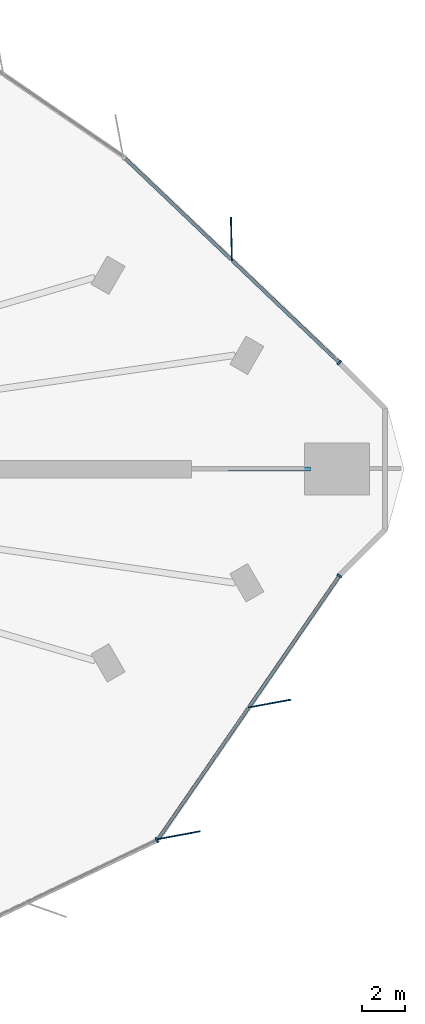
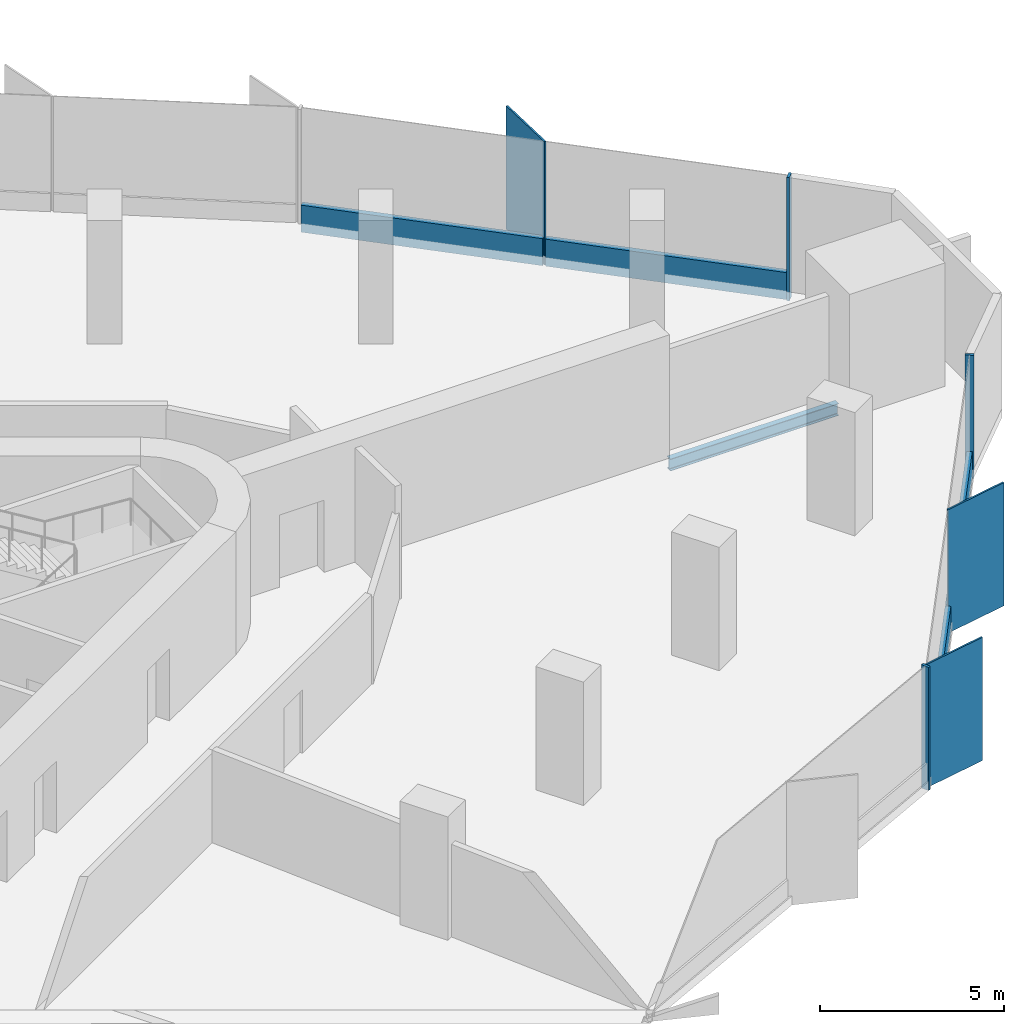
# One storey, part 6 of 14: 10 members, 1 beam, 3 elements without a shape of their own.
"""IFC4 building model written with IfcOpenShell, lengths in metres."""

from ifc_helpers import new_model, si_unit, direction, frame, origin, origin_2d, place, context, subcontext, project, spatial, rectangle, i_section, extrude, material, material_profile, profile_set, type_object, element, aggregate, save


model = new_model("IFC4")

# Units and contexts
model_context = context("Model", 3, precision=1e-05, world=origin(), true_north=direction((0.0, 1.0)))
body_context = subcontext(model_context, "Body", "Model", "MODEL_VIEW")
ifc_project = project(units=[si_unit("LENGTHUNIT", "METRE"), si_unit("AREAUNIT", "SQUARE_METRE"), si_unit("VOLUMEUNIT", "CUBIC_METRE"), si_unit("PLANEANGLEUNIT", "RADIAN"), si_unit("MASSUNIT", "GRAM", prefix="KILO")], contexts=[model_context])

# Site, building, storey
site_placement = place(None, origin())
site = spatial("IfcSite", under=ifc_project, at=site_placement, CompositionType="ELEMENT")
building_placement = place(site_placement, origin())
building = spatial("IfcBuilding", under=site, at=building_placement, Name="Tanit Gate Tower", CompositionType="ELEMENT")
storey_placement = place(building_placement, frame((0.0, 0.0, 82.39990234375)))
storey = spatial("IfcBuildingStorey", under=building, at=storey_placement, Name="L16", CompositionType="ELEMENT", Elevation=82.39990234375)

# Curtain wall, member
ifc_material_1 = material(Name="Aluminium bronze anodised and glass", Category="aluminium")
curtain_wall_type = type_object("IfcCurtainWallType", Name="Curtain wall typical low", PredefinedType="NOTDEFINED", material=ifc_material_1)
curtain_wall_1_placement = place(storey_placement, origin())
curtain_wall_1 = element("IfcCurtainWall", 1, at=curtain_wall_1_placement, inside=storey, type_object=curtain_wall_type, Name="Curtain wall L16 NE1", PredefinedType="NOTDEFINED")
ifc_material_2 = material(Name="Aluminium bronze anodised", Category="aluminium")
ifc_material_profile_1 = material_profile(ifc_material_2, rectangle(XDim=2.0, YDim=0.055908203125, at=origin_2d()), Name="56x2000 bronze fin mullion")
ifc_profile_set_1 = profile_set([ifc_material_profile_1], Name="Aluminium bronze anodised")
member_type_1 = type_object("IfcMemberType", Name="FIN MULLION 56x2000 bronze", PredefinedType="MULLION", material=ifc_profile_set_1)
member_1_placement = place(storey_placement, frame((36.457275390625, 10.611083984375, -0.2998046875), z_axis=(0.0, 0.0, 1.0), x_axis=(0.023942380676, -0.999713340117, 0.0)))
member_1 = element("IfcMember", 2, at=member_1_placement, type_object=member_type_1, Name="Fin mullion L16 NE1.2", PredefinedType="MULLION", context=body_context, shape_type="SweptSolid", body=[
    extrude(rectangle(XDim=2.0, YDim=0.055908203125, at=origin_2d()), origin(), (0.0, 0.0, 1.0), 4.099853515625),
])

# Curtain wall, members
curtain_wall_2_placement = place(storey_placement, origin())
curtain_wall_2 = element("IfcCurtainWall", 3, at=curtain_wall_2_placement, inside=storey, type_object=curtain_wall_type, Name="Curtain wall L16 SE3", PredefinedType="NOTDEFINED")
member_2_placement = place(storey_placement, frame((34.039794921875, -16.888916015625, -0.2998046875), z_axis=(0.0, 0.0, 1.0), x_axis=(-0.983361819077, -0.181657735267, 0.0)))
member_2 = element("IfcMember", 4, at=member_2_placement, type_object=member_type_1, Name="Fin mullion L16 SE3.1", PredefinedType="MULLION", context=body_context, shape_type="SweptSolid", body=[
    extrude(rectangle(XDim=2.0, YDim=0.055908203125, at=origin_2d()), origin(), (0.0, 0.0, 1.0), 4.099853515625),
])
member_3_placement = place(storey_placement, frame((38.21826171875, -10.817138671875, -0.2998046875), z_axis=(0.0, 0.0, 1.0), x_axis=(-0.983361819077, -0.181657735267, 0.0)))
member_3 = element("IfcMember", 5, at=member_3_placement, type_object=member_type_1, Name="Fin mullion L16 SE3.2", PredefinedType="MULLION", context=body_context, shape_type="SweptSolid", body=[
    extrude(rectangle(XDim=2.0, YDim=0.055908203125, at=origin_2d()), origin(), (0.0, 0.0, 1.0), 4.099853515625),
])

# Member
ifc_material_3 = material(Name="Aluminium bronze anodised", Category="aluminium")
ifc_material_profile_2 = material_profile(ifc_material_3, rectangle(XDim=0.239990234375, YDim=0.080078125, at=origin_2d()), Name="80x240 bronze mullion")
ifc_profile_set_2 = profile_set([ifc_material_profile_2], Name="Aluminium bronze anodised")
member_type_2 = type_object("IfcMemberType", Name="Mullion 80x240 typical low", PredefinedType="MULLION", material=ifc_profile_set_2)
member_4_placement = place(storey_placement, frame((41.43798828125, 4.90869140625, -0.2998046875), z_axis=(0.0, 0.0, 1.0), x_axis=(-0.689974262306, -0.723833901773, 0.0)))
member_4 = element("IfcMember", 6, at=member_4_placement, type_object=member_type_2, Name="Mullion L16 NE1.1", PredefinedType="MULLION", context=body_context, shape_type="SweptSolid", body=[
    extrude(rectangle(XDim=0.239990234375, YDim=0.080078125, at=origin_2d()), origin(), (0.0, 0.0, 1.0), 4.099853515625),
])

# Curtain wall, member
curtain_wall_3_placement = place(storey_placement, origin())
curtain_wall_3 = element("IfcCurtainWall", 7, at=curtain_wall_3_placement, inside=storey, type_object=curtain_wall_type, Name="Curtain wall L16 SE2", PredefinedType="NOTDEFINED")
member_5_placement = place(storey_placement, frame((33.02001953125, -17.11669921875, -0.2998046875), z_axis=(0.0, 0.0, 1.0), x_axis=(-0.431197182029, 0.902257718288, 0.0)))
member_5 = element("IfcMember", 8, at=member_5_placement, type_object=member_type_2, Name="Mullion L16 SE2.7", PredefinedType="MULLION", context=body_context, shape_type="SweptSolid", body=[
    extrude(rectangle(XDim=0.239990234375, YDim=0.080078125, at=origin_2d()), origin(), (0.0, 0.0, 1.0), 4.099853515625),
])
aggregate(curtain_wall_3, [member_5])

# Member
member_6_placement = place(storey_placement, frame((41.435546875, -4.9228515625, -0.2998046875), z_axis=(0.0, 0.0, 1.0), x_axis=(-0.823793227091, 0.566890394167, 0.0)))
member_6 = element("IfcMember", 9, at=member_6_placement, type_object=member_type_2, Name="Mullion L16 SE3.3", PredefinedType="MULLION", context=body_context, shape_type="SweptSolid", body=[
    extrude(rectangle(XDim=0.239990234375, YDim=0.080078125, at=origin_2d()), origin(), (0.0, 0.0, 1.0), 4.099853515625),
])

# Beam
ifc_material_4 = material(Name="Steel S355", Category="steel")
ifc_material_profile_3 = material_profile(ifc_material_4, i_section(OverallWidth=0.179931640625, OverallDepth=0.39990234375, WebThickness=0.008544921875, FlangeThickness=0.013427734375, FilletRadius=0.02099609375, at=origin_2d()), Name="IPE 400")
ifc_profile_set_3 = profile_set([ifc_material_profile_3], Name="Steel S355")
beam_type = type_object("IfcBeamType", Name="RADIAL GIRDER IPE 400 S355", PredefinedType="BEAM", material=ifc_profile_set_3)
beam_placement = place(storey_placement, frame((40.115966796875, 0.0, -0.5), z_axis=(-1.0, 0.0, 0.0), x_axis=(0.0, -1.0, 0.0)))
element("IfcBeam", 10, at=beam_placement, inside=storey, type_object=beam_type, Name="RADIAL GIRDER", PredefinedType="BEAM", context=body_context, shape_type="SweptSolid", body=[
    extrude(i_section(OverallWidth=0.179931640625, OverallDepth=0.39990234375, WebThickness=0.008544921875, FlangeThickness=0.013427734375, FilletRadius=0.02099609375, at=origin_2d()), origin(), (0.0, 0.0, 1.0), 5.29638671875),
])

# Member
ifc_material_5 = material(Name="Aluminium bronze anodised", Category="aluminium")
ifc_material_profile_4 = material_profile(ifc_material_5, rectangle(XDim=0.159912109375, YDim=0.89990234375, at=origin_2d()), Name="160x900 bronze transom")
ifc_profile_set_4 = profile_set([ifc_material_profile_4], Name="Aluminium bronze anodised")
member_type_3 = type_object("IfcMemberType", Name="Transom 160x900 typical low", PredefinedType="USERDEFINED", material=ifc_profile_set_4)
member_7_placement = place(storey_placement, frame((41.408935546875, 4.936279296875, 0.150146484375), z_axis=(-0.723838500577, 0.689969437789, 0.0), x_axis=(-0.689969437789, -0.723838500577, 0.0)))
member_7 = element("IfcMember", 11, at=member_7_placement, type_object=member_type_3, Name="Transom L16 NE1.1", ObjectType="TRANSOM", PredefinedType="USERDEFINED", context=body_context, shape_type="SweptSolid", body=[
    extrude(rectangle(XDim=0.159912109375, YDim=0.89990234375, at=origin_2d()), origin(), (0.0, 0.0, 1.0), 6.7685546875),
])

member_8_placement = place(storey_placement, frame((36.45166015625, 9.66162109375, 0.150146484375), z_axis=(-0.723838500577, 0.689969437789, 0.0), x_axis=(-0.689969437789, -0.723838500577, 0.0)))
member_8 = element("IfcMember", 12, at=member_8_placement, type_object=member_type_3, Name="Transom L16 NE1.2", ObjectType="TRANSOM", PredefinedType="USERDEFINED", context=body_context, shape_type="SweptSolid", body=[
    extrude(rectangle(XDim=0.159912109375, YDim=0.89990234375, at=origin_2d()), origin(), (0.0, 0.0, 1.0), 6.7685546875),
])

aggregate(curtain_wall_1, [member_4, member_1, member_7, member_8])

member_9_placement = place(storey_placement, frame((33.101318359375, -17.033447265625, 0.150146484375), z_axis=(0.566903962364, 0.82378389002, 0.0), x_axis=(-0.82378389002, 0.566903962364, 0.0)))
member_9 = element("IfcMember", 13, at=member_9_placement, type_object=member_type_3, Name="Transom L16 SE3.1", ObjectType="TRANSOM", PredefinedType="USERDEFINED", context=body_context, shape_type="SweptSolid", body=[
    extrude(rectangle(XDim=0.159912109375, YDim=0.89990234375, at=origin_2d()), origin(), (0.0, 0.0, 1.0), 7.29052734375),
])

member_10_placement = place(storey_placement, frame((37.27978515625, -10.961669921875, 0.150146484375), z_axis=(0.566888323981, 0.823794651678, 0.0), x_axis=(-0.823794651678, 0.566888323981, 0.0)))
member_10 = element("IfcMember", 14, at=member_10_placement, type_object=member_type_3, Name="Transom L16 SE3.2", ObjectType="TRANSOM", PredefinedType="USERDEFINED", context=body_context, shape_type="SweptSolid", body=[
    extrude(rectangle(XDim=0.159912109375, YDim=0.89990234375, at=origin_2d()), origin(), (0.0, 0.0, 1.0), 7.290771484375),
])

aggregate(curtain_wall_2, [member_2, member_3, member_6, member_9, member_10])

save(model, "model.ifc")
